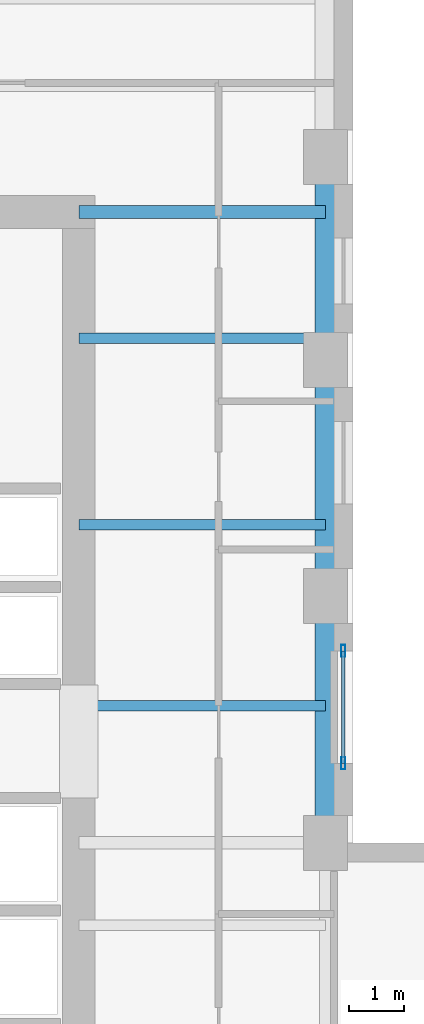
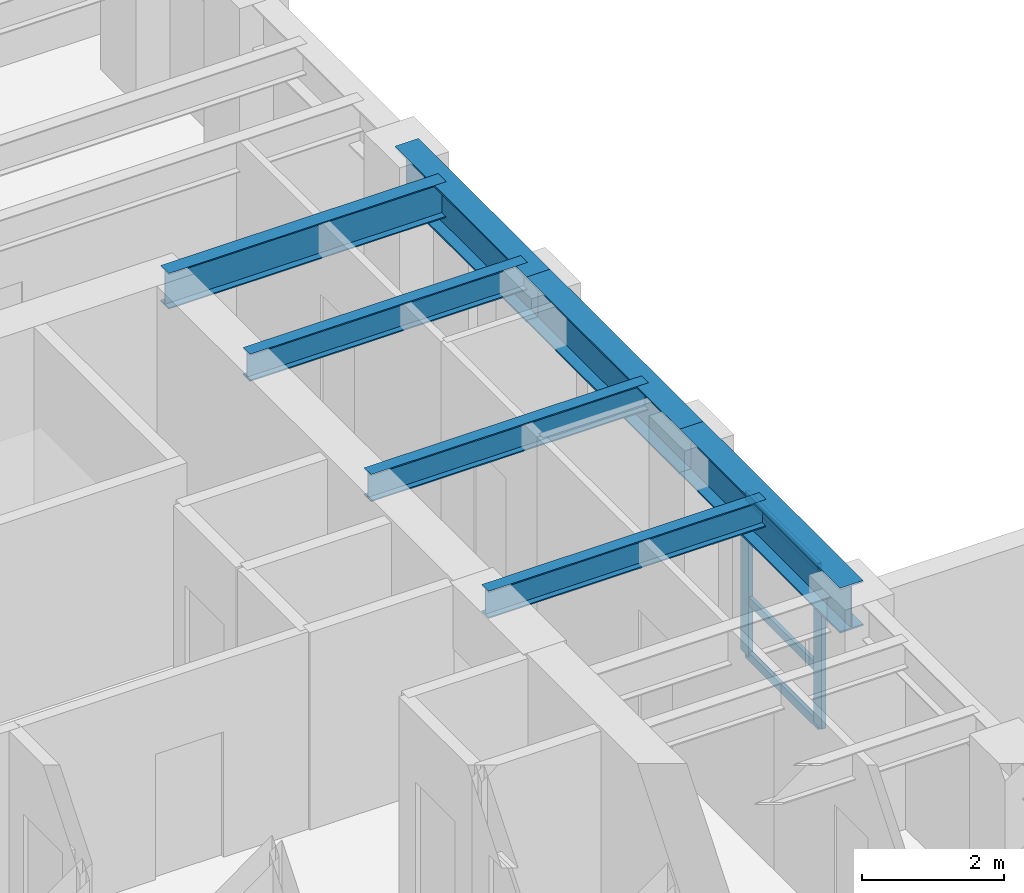
# One storey, part 2 of 11: 7 beams, 5 members, 1 element without a shape of its own.
"""IFC4 building model written with IfcOpenShell, lengths in metres."""

from ifc_helpers import new_model, si_unit, direction, frame, origin, origin_2d, place, context, subcontext, project, spatial, hollow_rectangle, i_section, extrude, source, transform, mapped, material, layer, layer_set, material_profile, profile_set, type_object, element, aggregate, save


model = new_model("IFC4")

# Units and contexts
model_context = context("Model", 3, precision=1e-05, world=origin(), true_north=direction((0.0, 1.0)))
body_context = subcontext(model_context, "Body", "Model", "MODEL_VIEW")
ifc_project = project(units=[si_unit("LENGTHUNIT", "METRE"), si_unit("AREAUNIT", "SQUARE_METRE"), si_unit("VOLUMEUNIT", "CUBIC_METRE"), si_unit("PLANEANGLEUNIT", "RADIAN"), si_unit("MASSUNIT", "GRAM", prefix="KILO")], contexts=[model_context])

# Site, building, storey
site_placement = place(None, origin())
site = spatial("IfcSite", under=ifc_project, at=site_placement, CompositionType="ELEMENT")
building_placement = place(site_placement, origin())
building = spatial("IfcBuilding", under=site, at=building_placement, Name="Kharzan Plaza Tower", CompositionType="ELEMENT")
storey_placement = place(building_placement, frame((0.0, 0.0, 182.699951171875)))
storey = spatial("IfcBuildingStorey", under=building, at=storey_placement, Name="L49", CompositionType="ELEMENT", Elevation=182.699951171875)

# Beams
ifc_material_1 = material(Name="Steel S355", Category="steel")
ifc_material_profile_1 = material_profile(ifc_material_1, i_section(OverallWidth=0.194091796875, OverallDepth=0.468994140625, WebThickness=0.011474609375, FlangeThickness=0.0205078125, at=origin_2d()), Name="W460x106")
ifc_profile_set_1 = profile_set([ifc_material_profile_1], Name="Steel S355")
beam_type_1 = type_object("IfcBeamType", Name="BM-JST460", PredefinedType="JOIST", material=ifc_profile_set_1)
shared_shape_1 = source(origin(), body_context, "Body", "SweptSolid", [
    extrude(i_section(OverallWidth=0.194091796875, OverallDepth=0.468994140625, WebThickness=0.011474609375, FlangeThickness=0.0205078125, at=origin_2d()), origin(), (0.0, 0.0, 1.0), 4.5),
])
for number, where, z_axis, x_axis, name in (
    (1, (14.5, 20.5, 3.16552734375), (1.0, 0.0, 0.0), (0.0, 1.0, 0.0), "L49 Wing A East Infill Joist 4"),
    (2, (14.5, 23.800048828125, 3.16552734375), (1.0, 0.0, 0.0), (0.0, 1.0, 0.0), "L49 Wing A East Infill Joist 5"),
    (3, (14.5, 27.199951171875, 3.16552734375), (1.0, 0.0, 0.0), (0.0, 1.0, 0.0), "L49 Wing A East Infill Joist 6"),
):
    element("IfcBeam", number, at=place(storey_placement, frame(where, z_axis=z_axis, x_axis=x_axis)), inside=storey, type_object=beam_type_1, Name=name, PredefinedType="JOIST", context=body_context, shape_type="MappedRepresentation", body=[
        mapped(shared_shape_1, transform((0.0, 0.0, 0.0), x_axis=(1.0, 0.0, 0.0), y_axis=(0.0, 1.0, 0.0), z_axis=(0.0, 0.0, 1.0))),
    ])

# Curtain wall, members
ifc_material_2 = material(Name="Unitised Bronze-Anodized Aluminium and Low-E Glass", Category="aluminium")
ifc_layer = layer(ifc_material_2, 0.199951171875)
ifc_layer_set = layer_set([ifc_layer], Name="Unitised Bronze-Anodized Aluminium and Low-E Glass")
curtain_wall_type = type_object("IfcCurtainWallType", Name="CW-SLOT-3", PredefinedType="NOTDEFINED", material=ifc_layer_set)
curtain_wall_placement = place(storey_placement, origin())
curtain_wall = element("IfcCurtainWall", 4, at=curtain_wall_placement, inside=storey, type_object=curtain_wall_type, Name="L49 West Slot Recessed Spine Curtain Wall", PredefinedType="NOTDEFINED")
ifc_material_3 = material(Name="Anodized Bronze Aluminium", Category="aluminium")
ifc_material_profile_2 = material_profile(ifc_material_3, hollow_rectangle(XDim=0.074951171875, YDim=0.219970703125, WallThickness=0.00390625, at=origin_2d()), Name="ALU-M220x75x4")
ifc_profile_set_2 = profile_set([ifc_material_profile_2], Name="Anodized Bronze Aluminium")
member_type_1 = type_object("IfcMemberType", Name="MEM-CW-MUL200", PredefinedType="MULLION", material=ifc_profile_set_2)
shared_shape_2 = source(origin(), body_context, "Body", "SweptSolid", [
    extrude(hollow_rectangle(XDim=0.074951171875, YDim=0.219970703125, WallThickness=0.00390625, at=origin_2d()), origin(), (0.0, 0.0, 1.0), 2.699951171875),
])
member_1_placement = place(storey_placement, frame((19.320068359375, 19.449951171875, 0.0), z_axis=(0.0, 0.0, 1.0), x_axis=(1.0, 0.0, 0.0)))
member_1 = element("IfcMember", 5, at=member_1_placement, type_object=member_type_1, Name="L49 Curtain-Wall Mullion 00", PredefinedType="MULLION", context=body_context, shape_type="MappedRepresentation", body=[
    mapped(shared_shape_2, transform((0.0, 0.0, 0.0), x_axis=(1.0, 0.0, 0.0), y_axis=(0.0, 1.0, 0.0), z_axis=(0.0, 0.0, 1.0))),
])
member_2_placement = place(storey_placement, frame((19.320068359375, 21.5, 0.0), z_axis=(0.0, 0.0, 1.0), x_axis=(1.0, 0.0, 0.0)))
member_2 = element("IfcMember", 6, at=member_2_placement, type_object=member_type_1, Name="L49 Curtain-Wall Mullion 01", PredefinedType="MULLION", context=body_context, shape_type="MappedRepresentation", body=[
    mapped(shared_shape_2, transform((0.0, 0.0, 0.0), x_axis=(1.0, 0.0, 0.0), y_axis=(0.0, 1.0, 0.0), z_axis=(0.0, 0.0, 1.0))),
])
ifc_material_profile_3 = material_profile(ifc_material_3, hollow_rectangle(XDim=0.06005859375, YDim=0.14990234375, WallThickness=0.00341796875, at=origin_2d()), Name="ALU-T150x60x3.5")
ifc_profile_set_3 = profile_set([ifc_material_profile_3], Name="Anodized Bronze Aluminium")
member_type_2 = type_object("IfcMemberType", Name="MEM-CW-TRN150", PredefinedType="USERDEFINED", material=ifc_profile_set_3)
shared_shape_3 = source(origin(), body_context, "Body", "SweptSolid", [
    extrude(hollow_rectangle(XDim=0.06005859375, YDim=0.14990234375, WallThickness=0.00341796875, at=origin_2d()), origin(), (0.0, 0.0, 1.0), 2.050048828125),
])
member_3_placement = place(storey_placement, frame((19.320068359375, 19.449951171875, 0.0), z_axis=(0.0, 1.0, 0.0), x_axis=(-1.0, 0.0, 0.0)))
member_3 = element("IfcMember", 7, at=member_3_placement, type_object=member_type_2, Name="L49 Curtain-Wall Transom 1", ObjectType="TRANSOM", PredefinedType="USERDEFINED", context=body_context, shape_type="MappedRepresentation", body=[
    mapped(shared_shape_3, transform((0.0, 0.0, 0.0), x_axis=(1.0, 0.0, 0.0), y_axis=(0.0, 1.0, 0.0), z_axis=(0.0, 0.0, 1.0))),
])
member_4_placement = place(storey_placement, frame((19.320068359375, 19.449951171875, 0.949951171875), z_axis=(0.0, 1.0, 0.0), x_axis=(-1.0, 0.0, 0.0)))
member_4 = element("IfcMember", 8, at=member_4_placement, type_object=member_type_2, Name="L49 Curtain-Wall Transom 2", ObjectType="TRANSOM", PredefinedType="USERDEFINED", context=body_context, shape_type="MappedRepresentation", body=[
    mapped(shared_shape_3, transform((0.0, 0.0, 0.0), x_axis=(1.0, 0.0, 0.0), y_axis=(0.0, 1.0, 0.0), z_axis=(0.0, 0.0, 1.0))),
])
member_5_placement = place(storey_placement, frame((19.320068359375, 19.449951171875, 2.699951171875), z_axis=(0.0, 1.0, 0.0), x_axis=(-1.0, 0.0, 0.0)))
member_5 = element("IfcMember", 9, at=member_5_placement, type_object=member_type_2, Name="L49 Curtain-Wall Transom 3", ObjectType="TRANSOM", PredefinedType="USERDEFINED", context=body_context, shape_type="MappedRepresentation", body=[
    mapped(shared_shape_3, transform((0.0, 0.0, 0.0), x_axis=(1.0, 0.0, 0.0), y_axis=(0.0, 1.0, 0.0), z_axis=(0.0, 0.0, 1.0))),
])
aggregate(curtain_wall, [member_1, member_2, member_3, member_4, member_5])

# Beams
ifc_material_profile_4 = material_profile(ifc_material_1, i_section(OverallWidth=0.22900390625, OverallDepth=0.612060546875, WebThickness=0.011962890625, FlangeThickness=0.01953125, at=origin_2d()), Name="W610x125")
ifc_profile_set_4 = profile_set([ifc_material_profile_4], Name="Steel S355")
beam_type_2 = type_object("IfcBeamType", Name="BM-FG610B", PredefinedType="BEAM", material=ifc_profile_set_4)
shared_shape_4 = source(origin(), body_context, "Body", "SweptSolid", [
    extrude(i_section(OverallWidth=0.22900390625, OverallDepth=0.612060546875, WebThickness=0.011962890625, FlangeThickness=0.01953125, at=origin_2d()), origin(), (0.0, 0.0, 1.0), 4.5),
])
beam_1_placement = place(storey_placement, frame((14.5, 29.5, 3.093994140625), z_axis=(1.0, 0.0, 0.0), x_axis=(0.0, 1.0, 0.0)))
element("IfcBeam", 10, at=beam_1_placement, inside=storey, type_object=beam_type_2, Name="L49 Core-A East Floor Girder 3", PredefinedType="BEAM", context=body_context, shape_type="MappedRepresentation", body=[
    mapped(shared_shape_4, transform((0.0, 0.0, 0.0), x_axis=(1.0, 0.0, 0.0), y_axis=(0.0, 1.0, 0.0), z_axis=(0.0, 0.0, 1.0))),
])
ifc_material_profile_5 = material_profile(ifc_material_1, i_section(OverallWidth=0.381103515625, OverallDepth=0.77294921875, WebThickness=0.0166015625, FlangeThickness=0.027587890625, at=origin_2d()), Name="W760x257")
ifc_profile_set_5 = profile_set([ifc_material_profile_5], Name="Steel S355")
beam_type_3 = type_object("IfcBeamType", Name="BM-SP760A", PredefinedType="SPANDREL", material=ifc_profile_set_5)
shared_shape_5 = source(origin(), body_context, "Body", "SweptSolid", [
    extrude(i_section(OverallWidth=0.381103515625, OverallDepth=0.77294921875, WebThickness=0.0166015625, FlangeThickness=0.027587890625, at=origin_2d()), origin(), (0.0, 0.0, 1.0), 4.5),
])
beam_2_placement = place(storey_placement, frame((19.0, 18.0, 3.013427734375), z_axis=(0.0, 1.0, 0.0), x_axis=(-1.0, 0.0, 0.0)))
element("IfcBeam", 11, at=beam_2_placement, inside=storey, type_object=beam_type_3, Name="L49 Perimeter Tube Spandrel", PredefinedType="SPANDREL", context=body_context, shape_type="MappedRepresentation", body=[
    mapped(shared_shape_5, transform((0.0, 0.0, 0.0), x_axis=(1.0, 0.0, 0.0), y_axis=(0.0, 1.0, 0.0), z_axis=(0.0, 0.0, 1.0))),
])
shared_shape_6 = source(origin(), body_context, "Body", "SweptSolid", [
    extrude(i_section(OverallWidth=0.381103515625, OverallDepth=0.77294921875, WebThickness=0.0166015625, FlangeThickness=0.027587890625, at=origin_2d()), origin(), (0.0, 0.0, 1.0), 4.300048828125),
])
beam_3_placement = place(storey_placement, frame((19.0, 22.5, 3.013427734375), z_axis=(0.0, 1.0, 0.0), x_axis=(-1.0, 0.0, 0.0)))
element("IfcBeam", 12, at=beam_3_placement, inside=storey, type_object=beam_type_3, Name="L49 Perimeter Tube Spandrel", PredefinedType="SPANDREL", context=body_context, shape_type="MappedRepresentation", body=[
    mapped(shared_shape_6, transform((0.0, 0.0, 0.0), x_axis=(1.0, 0.0, 0.0), y_axis=(0.0, 1.0, 0.0), z_axis=(0.0, 0.0, 1.0))),
])
shared_shape_7 = source(origin(), body_context, "Body", "SweptSolid", [
    extrude(i_section(OverallWidth=0.381103515625, OverallDepth=0.77294921875, WebThickness=0.0166015625, FlangeThickness=0.027587890625, at=origin_2d()), origin(), (0.0, 0.0, 1.0), 3.699951171875),
])
beam_4_placement = place(storey_placement, frame((19.0, 26.800048828125, 3.013427734375), z_axis=(0.0, 1.0, 0.0), x_axis=(-1.0, 0.0, 0.0)))
element("IfcBeam", 13, at=beam_4_placement, inside=storey, type_object=beam_type_3, Name="L49 Perimeter Tube Spandrel", PredefinedType="SPANDREL", context=body_context, shape_type="MappedRepresentation", body=[
    mapped(shared_shape_7, transform((0.0, 0.0, 0.0), x_axis=(1.0, 0.0, 0.0), y_axis=(0.0, 1.0, 0.0), z_axis=(0.0, 0.0, 1.0))),
])

save(model, "model.ifc")
